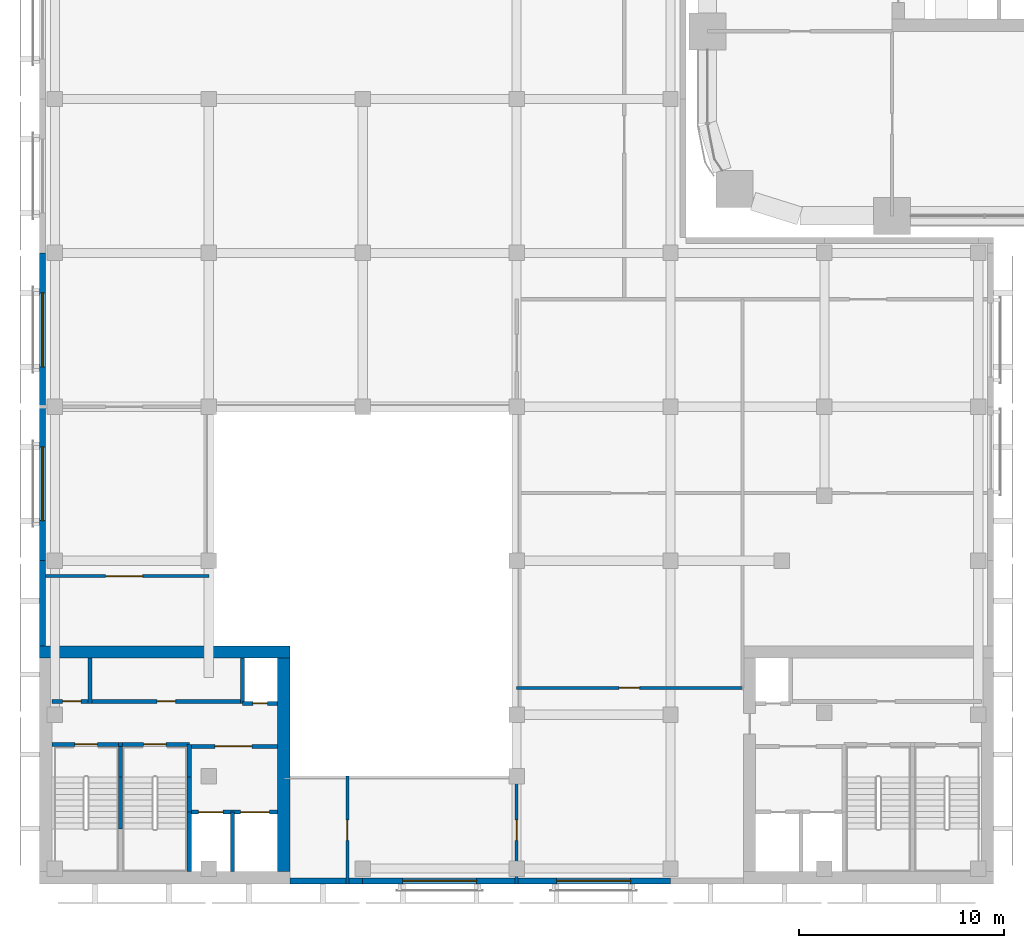
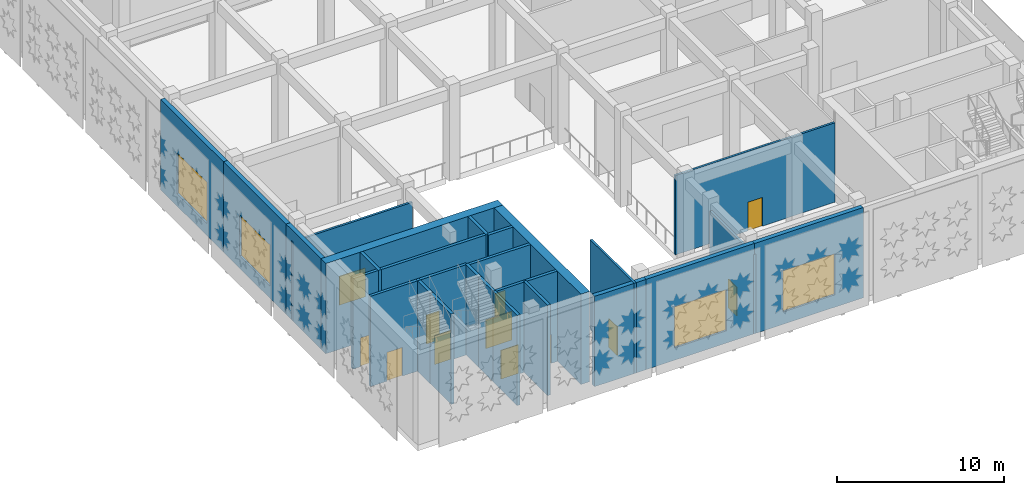
# One storey, part 14 of 42: 27 walls, 12 doors, 4 windows, 16 openings.
"""IFC4 building model written with IfcOpenShell, lengths in metres."""

from ifc_helpers import new_model, si_unit, direction, frame, frame_2d, origin, place, context, subcontext, project, spatial, rectangle, extrude, material, layer, layer_set, type_object, element, fill, save


model = new_model("IFC4")

# Units and contexts
model_context = context("Model", 3, precision=1e-05, world=origin(), true_north=direction((0.0, 1.0)))
body_context = subcontext(model_context, "Body", "Model", "MODEL_VIEW")
ifc_project = project(units=[si_unit("LENGTHUNIT", "METRE"), si_unit("AREAUNIT", "SQUARE_METRE"), si_unit("VOLUMEUNIT", "CUBIC_METRE"), si_unit("PLANEANGLEUNIT", "RADIAN"), si_unit("MASSUNIT", "GRAM", prefix="KILO")], contexts=[model_context])

# Site, building, storey
site_placement = place(None, origin())
site = spatial("IfcSite", under=ifc_project, at=site_placement, CompositionType="ELEMENT")
building_placement = place(site_placement, origin())
building = spatial("IfcBuilding", under=site, at=building_placement, Name="Tessera Arch", CompositionType="ELEMENT")
storey_placement = place(building_placement, frame((0.0, 0.0, 14.0)))
storey = spatial("IfcBuildingStorey", under=building, at=storey_placement, Name="L02", CompositionType="ELEMENT", Elevation=14.0)

# Wall
ifc_material_1 = material(Name="Gypsum board on steel stud", Category="steel")
ifc_layer_1 = layer(ifc_material_1, 0.125)
ifc_layer_set_1 = layer_set([ifc_layer_1], Name="Core partition 125 EI 60")
wall_type_1 = type_object("IfcWallType", Name="Core partition 125 EI 60", PredefinedType="PARTITIONING", material=ifc_layer_set_1)
wall_1_placement = place(storey_placement, frame((-30.090087890625, -23.75, 0.0), z_axis=(0.0, 0.0, 1.0), x_axis=(0.0, 1.0, 0.0)))
element("IfcWall", 1, at=wall_1_placement, inside=storey, type_object=wall_type_1, Name="L02 M2 partition wall 1", PredefinedType="PARTITIONING", context=body_context, shape_type="SweptSolid", body=[
    extrude(rectangle(XDim=2.199951171875, YDim=0.199951171875, at=frame_2d((1.10009765625, 0.0))), origin(), (0.0, 0.0, 1.0), 6.590087890625),
])

# Wall, opening, door
wall_2_placement = place(storey_placement, frame((-25.25, -25.85009765625, 0.0), z_axis=(0.0, 0.0, 1.0), x_axis=(1.0, 0.0, 0.0)))
wall_2 = element("IfcWall", 2, at=wall_2_placement, inside=storey, type_object=wall_type_1, Name="L02 M2 partition wall 11", PredefinedType="PARTITIONING", context=body_context, shape_type="SweptSolid", body=[
    extrude(rectangle(XDim=4.300048828125, YDim=0.199951171875, at=frame_2d((2.14990234375, 0.0))), origin(), (0.0, 0.0, 1.0), 6.590087890625),
])
opening_1_placement = place(wall_2_placement, frame((1.25, 0.0, 0.0)))
opening_1 = element("IfcOpeningElement", 3, at=opening_1_placement, cuts=wall_2, Name="Opening L02-C57", PredefinedType="OPENING", context=body_context, shape_type="SweptSolid", body=[
    extrude(rectangle(XDim=1.800048828125, YDim=2.10009765625, at=frame_2d((0.89990234375, 1.050048828125))), frame((0.0, 0.10986328125, 0.0), z_axis=(0.0, -1.0, 0.0), x_axis=(1.0, 0.0, 0.0)), (0.0, 0.0, 1.0), 0.219970703125),
])
ifc_material_2 = material(Name="Glazed steel door leaf", Category="steel")
door_type_1 = type_object("IfcDoorType", Name="Lobby double door FD30S 1800 x 2100", OperationType="DOUBLE_DOOR_SINGLE_SWING", PredefinedType="DOOR", material=ifc_material_2)
door_1_placement = place(opening_1_placement, origin())
door_1 = element("IfcDoor", 4, at=door_1_placement, inside=storey, type_object=door_type_1, Name="L02 M2 door 5 C57 type D06", OperationType="DOUBLE_DOOR_SINGLE_SWING", OverallHeight=2.10009765625, OverallWidth=1.800048828125, PredefinedType="DOOR", context=body_context, shape_type="SweptSolid", body=[
    extrude(rectangle(XDim=1.800048828125, YDim=2.10009765625, at=frame_2d((0.89990234375, 1.050048828125))), frame((0.0, 0.02490234375, 0.0), z_axis=(0.0, -1.0, 0.0), x_axis=(1.0, 0.0, 0.0)), (0.0, 0.0, 1.0), 0.050048828125),
])
fill(opening_1, door_1)

# Wall, openings, doors
wall_3_placement = place(storey_placement, frame((-31.949951171875, -23.64990234375, 0.0), z_axis=(0.0, 0.0, 1.0), x_axis=(1.0, 0.0, 0.0)))
wall_3 = element("IfcWall", 5, at=wall_3_placement, inside=storey, type_object=wall_type_1, Name="L02 M2 partition wall 15", PredefinedType="PARTITIONING", context=body_context, shape_type="SweptSolid", body=[
    extrude(rectangle(XDim=9.300048828125, YDim=0.199951171875, at=frame_2d((4.64990234375, 0.0))), origin(), (0.0, 0.0, 1.0), 6.590087890625),
])
opening_2_placement = place(wall_3_placement, frame((0.530029296875, 0.0, 0.0)))
opening_2 = element("IfcOpeningElement", 6, at=opening_2_placement, cuts=wall_3, Name="Opening L02-C59", PredefinedType="OPENING", context=body_context, shape_type="SweptSolid", body=[
    extrude(rectangle(XDim=0.89990234375, YDim=2.10009765625, at=frame_2d((0.449951171875, 1.050048828125))), frame((0.0, 0.10986328125, 0.0), z_axis=(0.0, -1.0, 0.0), x_axis=(1.0, 0.0, 0.0)), (0.0, 0.0, 1.0), 0.219970703125),
])
opening_3_placement = place(wall_3_placement, frame((5.1298828125, 0.0, 0.0)))
opening_3 = element("IfcOpeningElement", 7, at=opening_3_placement, cuts=wall_3, Name="Opening L02-C60", PredefinedType="OPENING", context=body_context, shape_type="SweptSolid", body=[
    extrude(rectangle(XDim=0.89990234375, YDim=2.10009765625, at=frame_2d((0.449951171875, 1.050048828125))), frame((0.0, 0.10986328125, 0.0), z_axis=(0.0, -1.0, 0.0), x_axis=(1.0, 0.0, 0.0)), (0.0, 0.0, 1.0), 0.219970703125),
])
ifc_material_3 = material(Name="Steel door leaf", Category="steel")
door_type_2 = type_object("IfcDoorType", Name="Store door FD30S 900 x 2100", OperationType="SINGLE_SWING_LEFT", PredefinedType="DOOR", material=ifc_material_3)
door_2_placement = place(opening_2_placement, origin())
door_2 = element("IfcDoor", 8, at=door_2_placement, inside=storey, type_object=door_type_2, Name="L02 M2 door 7 C59 type D09", OperationType="SINGLE_SWING_LEFT", OverallHeight=2.10009765625, OverallWidth=0.89990234375, PredefinedType="DOOR", context=body_context, shape_type="SweptSolid", body=[
    extrude(rectangle(XDim=0.89990234375, YDim=2.10009765625, at=frame_2d((0.449951171875, 1.050048828125))), frame((0.0, 0.02490234375, 0.0), z_axis=(0.0, -1.0, 0.0), x_axis=(1.0, 0.0, 0.0)), (0.0, 0.0, 1.0), 0.050048828125),
])
fill(opening_2, door_2)
door_3_placement = place(opening_3_placement, origin())
door_3 = element("IfcDoor", 9, at=door_3_placement, inside=storey, type_object=door_type_2, Name="L02 M2 door 8 C60 type D09", OperationType="SINGLE_SWING_RIGHT", OverallHeight=2.10009765625, OverallWidth=0.89990234375, PredefinedType="DOOR", context=body_context, shape_type="SweptSolid", body=[
    extrude(rectangle(XDim=0.89990234375, YDim=2.10009765625, at=frame_2d((0.449951171875, 1.050048828125))), frame((0.0, 0.02490234375, 0.0), z_axis=(0.0, -1.0, 0.0), x_axis=(1.0, 0.0, 0.0)), (0.0, 0.0, 1.0), 0.050048828125),
])
fill(opening_3, door_3)

# Walls
ifc_material_4 = material(Name="Concrete C70/85", Category="concrete")
ifc_layer_2 = layer(ifc_material_4, 0.60009765625)
ifc_layer_set_2 = layer_set([ifc_layer_2], Name="Core shell wall 600 C70-85")
wall_type_2 = type_object("IfcWallType", Name="Core shell wall 600 C70-85", PredefinedType="SHEAR", material=ifc_layer_set_2)
wall_4_placement = place(storey_placement, frame((-32.550048828125, -21.25, 0.0), z_axis=(0.0, 0.0, 1.0), x_axis=(1.0, 0.0, 0.0)))
element("IfcWall", 10, at=wall_4_placement, inside=storey, type_object=wall_type_2, Name="L02 M2 core wall N", PredefinedType="SHEAR", context=body_context, shape_type="SweptSolid", body=[
    extrude(rectangle(XDim=12.199951171875, YDim=0.60009765625, at=frame_2d((6.10009765625, 0.0))), origin(), (0.0, 0.0, 1.0), 6.590087890625),
])
wall_5_placement = place(storey_placement, frame((-20.64990234375, -31.949951171875, 0.0), z_axis=(0.0, 0.0, 1.0), x_axis=(0.0, 1.0, 0.0)))
element("IfcWall", 11, at=wall_5_placement, inside=storey, type_object=wall_type_2, Name="L02 M2 core wall E", PredefinedType="SHEAR", context=body_context, shape_type="SweptSolid", body=[
    extrude(rectangle(XDim=10.39990234375, YDim=0.60009765625, at=frame_2d((5.199951171875, 0.0))), origin(), (0.0, 0.0, 1.0), 6.590087890625),
])
ifc_material_5 = material(Name="Aluminium cladding pale metal anodised", Category="aluminium")
ifc_layer_3 = layer(ifc_material_5, 0.300048828125)
ifc_layer_set_3 = layer_set([ifc_layer_3], Name="Museum envelope wall pale metal")
wall_type_3 = type_object("IfcWallType", Name="Museum envelope wall pale metal", PredefinedType="SOLIDWALL", material=ifc_layer_set_3)
wall_6_placement = place(storey_placement, frame((-20.35009765625, -32.39990234375, 0.0), z_axis=(0.0, 0.0, 1.0), x_axis=(1.0, 0.0, 0.0)))
element("IfcWall", 12, at=wall_6_placement, inside=storey, type_object=wall_type_3, Name="Museum external wall pale metal mashrabiya pattern", PredefinedType="SOLIDWALL", context=body_context, shape_type="SweptSolid", body=[
    extrude(rectangle(XDim=3.550048828125, YDim=0.300048828125, at=frame_2d((1.77490234375, 0.0))), origin(), (0.0, 0.0, 1.0), 6.590087890625),
])

# Wall, opening, window
wall_7_placement = place(storey_placement, frame((-16.800048828125, -32.39990234375, 0.0), z_axis=(0.0, 0.0, 1.0), x_axis=(1.0, 0.0, 0.0)))
wall_7 = element("IfcWall", 13, at=wall_7_placement, inside=storey, type_object=wall_type_3, Name="Museum external wall pale metal mashrabiya pattern", PredefinedType="SOLIDWALL", context=body_context, shape_type="SweptSolid", body=[
    extrude(rectangle(XDim=7.5, YDim=0.300048828125, at=frame_2d((3.75, 0.0))), origin(), (0.0, 0.0, 1.0), 6.590087890625),
])
opening_4_placement = place(wall_7_placement, frame((1.949951171875, 0.0, 0.89990234375)))
opening_4 = element("IfcOpeningElement", 14, at=opening_4_placement, cuts=wall_7, Name="Opening L02-MV26", PredefinedType="OPENING", context=body_context, shape_type="SweptSolid", body=[
    extrude(rectangle(XDim=3.60009765625, YDim=3.0, at=frame_2d((1.800048828125, 1.5))), frame((0.0, 0.159912109375, 0.0), z_axis=(0.0, -1.0, 0.0), x_axis=(1.0, 0.0, 0.0)), (0.0, 0.0, 1.0), 0.320068359375),
])
ifc_material_6 = material(Name="Clear low-e glass in aluminium frame", Category="aluminium")
window_type = type_object("IfcWindowType", Name="Museum window fixed clear glass", PartitioningType="SINGLE_PANEL", PredefinedType="WINDOW", material=ifc_material_6)
window_1_placement = place(opening_4_placement, origin())
window_1 = element("IfcWindow", 15, at=window_1_placement, inside=storey, type_object=window_type, Name="Museum window L02 1-4", OverallHeight=3.0, OverallWidth=3.60009765625, PartitioningType="SINGLE_PANEL", PredefinedType="WINDOW", context=body_context, shape_type="SweptSolid", body=[
    extrude(rectangle(XDim=3.60009765625, YDim=3.0, at=frame_2d((1.800048828125, 1.5))), frame((0.0, 0.030029296875, 0.0), z_axis=(0.0, -1.0, 0.0), x_axis=(1.0, 0.0, 0.0)), (0.0, 0.0, 1.0), 0.06005859375),
])
fill(opening_4, window_1)

wall_8_placement = place(storey_placement, frame((-9.300048828125, -32.39990234375, 0.0), z_axis=(0.0, 0.0, 1.0), x_axis=(1.0, 0.0, 0.0)))
wall_8 = element("IfcWall", 16, at=wall_8_placement, inside=storey, type_object=wall_type_3, Name="Museum external wall pale metal mashrabiya pattern", PredefinedType="SOLIDWALL", context=body_context, shape_type="SweptSolid", body=[
    extrude(rectangle(XDim=7.5, YDim=0.300048828125, at=frame_2d((3.75, 0.0))), origin(), (0.0, 0.0, 1.0), 6.590087890625),
])
opening_5_placement = place(wall_8_placement, frame((1.949951171875, 0.0, 0.89990234375)))
opening_5 = element("IfcOpeningElement", 17, at=opening_5_placement, cuts=wall_8, Name="Opening L02-MV27", PredefinedType="OPENING", context=body_context, shape_type="SweptSolid", body=[
    extrude(rectangle(XDim=3.60009765625, YDim=3.0, at=frame_2d((1.800048828125, 1.5))), frame((0.0, 0.159912109375, 0.0), z_axis=(0.0, -1.0, 0.0), x_axis=(1.0, 0.0, 0.0)), (0.0, 0.0, 1.0), 0.320068359375),
])
window_2_placement = place(opening_5_placement, origin())
window_2 = element("IfcWindow", 18, at=window_2_placement, inside=storey, type_object=window_type, Name="Museum window L02 1-5", OverallHeight=3.0, OverallWidth=3.60009765625, PartitioningType="SINGLE_PANEL", PredefinedType="WINDOW", context=body_context, shape_type="SweptSolid", body=[
    extrude(rectangle(XDim=3.60009765625, YDim=3.0, at=frame_2d((1.800048828125, 1.5))), frame((0.0, 0.030029296875, 0.0), z_axis=(0.0, -1.0, 0.0), x_axis=(1.0, 0.0, 0.0)), (0.0, 0.0, 1.0), 0.06005859375),
])
fill(opening_5, window_2)

wall_9_placement = place(storey_placement, frame((-32.39990234375, -1.800048828125, 0.0), z_axis=(0.0, 0.0, 1.0), x_axis=(0.0, -1.0, 0.0)))
wall_9 = element("IfcWall", 19, at=wall_9_placement, inside=storey, type_object=wall_type_3, Name="Museum external wall pale metal mashrabiya pattern", PredefinedType="SOLIDWALL", context=body_context, shape_type="SweptSolid", body=[
    extrude(rectangle(XDim=7.5, YDim=0.300048828125, at=frame_2d((3.75, 0.0))), origin(), (0.0, 0.0, 1.0), 6.590087890625),
])
opening_6_placement = place(wall_9_placement, frame((1.949951171875, 0.0, 0.89990234375)))
opening_6 = element("IfcOpeningElement", 20, at=opening_6_placement, cuts=wall_9, Name="Opening L02-MV38", PredefinedType="OPENING", context=body_context, shape_type="SweptSolid", body=[
    extrude(rectangle(XDim=3.60009765625, YDim=3.0, at=frame_2d((1.800048828125, 1.5))), frame((0.0, 0.159912109375, 0.0), z_axis=(0.0, -1.0, 0.0), x_axis=(1.0, 0.0, 0.0)), (0.0, 0.0, 1.0), 0.320068359375),
])
window_3_placement = place(opening_6_placement, origin())
window_3 = element("IfcWindow", 21, at=window_3_placement, inside=storey, type_object=window_type, Name="Museum window L02 6-10", OverallHeight=3.0, OverallWidth=3.60009765625, PartitioningType="SINGLE_PANEL", PredefinedType="WINDOW", context=body_context, shape_type="SweptSolid", body=[
    extrude(rectangle(XDim=3.60009765625, YDim=3.0, at=frame_2d((1.800048828125, 1.5))), frame((0.0, 0.030029296875, 0.0), z_axis=(0.0, -1.0, 0.0), x_axis=(1.0, 0.0, 0.0)), (0.0, 0.0, 1.0), 0.06005859375),
])
fill(opening_6, window_3)

wall_10_placement = place(storey_placement, frame((-32.39990234375, -9.300048828125, 0.0), z_axis=(0.0, 0.0, 1.0), x_axis=(0.0, -1.0, 0.0)))
wall_10 = element("IfcWall", 22, at=wall_10_placement, inside=storey, type_object=wall_type_3, Name="Museum external wall pale metal mashrabiya pattern", PredefinedType="SOLIDWALL", context=body_context, shape_type="SweptSolid", body=[
    extrude(rectangle(XDim=7.5, YDim=0.300048828125, at=frame_2d((3.75, 0.0))), origin(), (0.0, 0.0, 1.0), 6.590087890625),
])
opening_7_placement = place(wall_10_placement, frame((1.949951171875, 0.0, 0.89990234375)))
opening_7 = element("IfcOpeningElement", 23, at=opening_7_placement, cuts=wall_10, Name="Opening L02-MV39", PredefinedType="OPENING", context=body_context, shape_type="SweptSolid", body=[
    extrude(rectangle(XDim=3.60009765625, YDim=3.0, at=frame_2d((1.800048828125, 1.5))), frame((0.0, 0.159912109375, 0.0), z_axis=(0.0, -1.0, 0.0), x_axis=(1.0, 0.0, 0.0)), (0.0, 0.0, 1.0), 0.320068359375),
])
window_4_placement = place(opening_7_placement, origin())
window_4 = element("IfcWindow", 24, at=window_4_placement, inside=storey, type_object=window_type, Name="Museum window L02 6-11", OverallHeight=3.0, OverallWidth=3.60009765625, PartitioningType="SINGLE_PANEL", PredefinedType="WINDOW", context=body_context, shape_type="SweptSolid", body=[
    extrude(rectangle(XDim=3.60009765625, YDim=3.0, at=frame_2d((1.800048828125, 1.5))), frame((0.0, 0.030029296875, 0.0), z_axis=(0.0, -1.0, 0.0), x_axis=(1.0, 0.0, 0.0)), (0.0, 0.0, 1.0), 0.06005859375),
])
fill(opening_7, window_4)

# Wall
wall_11_placement = place(storey_placement, frame((-32.39990234375, -16.800048828125, 0.0), z_axis=(0.0, 0.0, 1.0), x_axis=(0.0, -1.0, 0.0)))
element("IfcWall", 25, at=wall_11_placement, inside=storey, type_object=wall_type_3, Name="Museum external wall pale metal mashrabiya pattern", PredefinedType="SOLIDWALL", context=body_context, shape_type="SweptSolid", body=[
    extrude(rectangle(XDim=4.14990234375, YDim=0.300048828125, at=frame_2d((2.074951171875, 0.0))), origin(), (0.0, 0.0, 1.0), 6.590087890625),
])

# Wall, opening, door
ifc_material_7 = material(Name="Gypsum board on steel stud", Category="steel")
ifc_layer_4 = layer(ifc_material_7, 0.14990234375)
ifc_layer_set_4 = layer_set([ifc_layer_4], Name="Partition 150")
wall_type_4 = type_object("IfcWallType", Name="Partition 150", PredefinedType="PARTITIONING", material=ifc_layer_set_4)
wall_12_placement = place(storey_placement, frame((-32.550048828125, -17.550048828125, 0.0), z_axis=(0.0, 0.0, 1.0), x_axis=(1.0, 0.0, 0.0)))
wall_12 = element("IfcWall", 26, at=wall_12_placement, inside=storey, type_object=wall_type_4, Name="L02 partition 17", PredefinedType="PARTITIONING", context=body_context, shape_type="SweptSolid", body=[
    extrude(rectangle(XDim=8.25, YDim=0.14990234375, at=frame_2d((4.125, 0.0))), origin(), (0.0, 0.0, 1.0), 5.7900390625),
])
opening_8_placement = place(wall_12_placement, frame((3.22509765625, 0.0, 0.0)))
opening_8 = element("IfcOpeningElement", 27, at=opening_8_placement, cuts=wall_12, Name="Opening L02-D012", PredefinedType="OPENING", context=body_context, shape_type="SweptSolid", body=[
    extrude(rectangle(XDim=1.800048828125, YDim=2.10009765625, at=frame_2d((0.89990234375, 1.050048828125))), frame((0.0, 0.0849609375, 0.0), z_axis=(0.0, -1.0, 0.0), x_axis=(1.0, 0.0, 0.0)), (0.0, 0.0, 1.0), 0.169921875),
])
ifc_material_8 = material(Name="Timber door leaf", Category="wood")
door_type_3 = type_object("IfcDoorType", Name="Double door 1800 x 2100", OperationType="DOUBLE_DOOR_SINGLE_SWING", PredefinedType="DOOR", material=ifc_material_8)
door_4_placement = place(opening_8_placement, origin())
door_4 = element("IfcDoor", 28, at=door_4_placement, inside=storey, type_object=door_type_3, Name="L02 door D012 type D13", OperationType="DOUBLE_DOOR_SINGLE_SWING", OverallHeight=2.10009765625, OverallWidth=1.800048828125, PredefinedType="DOOR", context=body_context, shape_type="SweptSolid", body=[
    extrude(rectangle(XDim=1.800048828125, YDim=2.10009765625, at=frame_2d((0.89990234375, 1.050048828125))), frame((0.0, 0.02490234375, 0.0), z_axis=(0.0, -1.0, 0.0), x_axis=(1.0, 0.0, 0.0)), (0.0, 0.0, 1.0), 0.050048828125),
])
fill(opening_8, door_4)

ifc_material_9 = material(Name="Gypsum board on steel stud", Category="steel")
ifc_layer_5 = layer(ifc_material_9, 0.14990234375)
ifc_layer_set_5 = layer_set([ifc_layer_5], Name="Partition 150 EI 30")
wall_type_5 = type_object("IfcWallType", Name="Partition 150 EI 30", PredefinedType="PARTITIONING", material=ifc_layer_set_5)
wall_13_placement = place(storey_placement, frame((-9.300048828125, -23.0, 0.0), z_axis=(0.0, 0.0, 1.0), x_axis=(1.0, 0.0, 0.0)))
wall_13 = element("IfcWall", 29, at=wall_13_placement, inside=storey, type_object=wall_type_5, Name="L02 partition 24", PredefinedType="PARTITIONING", context=body_context, shape_type="SweptSolid", body=[
    extrude(rectangle(XDim=11.0, YDim=0.14990234375, at=frame_2d((5.5, 0.0))), origin(), (0.0, 0.0, 1.0), 5.7900390625),
])
opening_9_placement = place(wall_13_placement, frame((5.0, 0.0, 0.0)))
opening_9 = element("IfcOpeningElement", 30, at=opening_9_placement, cuts=wall_13, Name="Opening L02-D019", PredefinedType="OPENING", context=body_context, shape_type="SweptSolid", body=[
    extrude(rectangle(XDim=1.0, YDim=2.10009765625, at=frame_2d((0.5, 1.050048828125))), frame((0.0, 0.0849609375, 0.0), z_axis=(0.0, -1.0, 0.0), x_axis=(1.0, 0.0, 0.0)), (0.0, 0.0, 1.0), 0.169921875),
])
ifc_material_10 = material(Name="Fire-rated door leaf")
door_type_4 = type_object("IfcDoorType", Name="Entrance door FD30S 1000 x 2100", OperationType="SINGLE_SWING_LEFT", PredefinedType="DOOR", material=ifc_material_10)
door_5_placement = place(opening_9_placement, origin())
door_5 = element("IfcDoor", 31, at=door_5_placement, inside=storey, type_object=door_type_4, Name="L02 door D019 type D03", OperationType="SINGLE_SWING_LEFT", OverallHeight=2.10009765625, OverallWidth=1.0, PredefinedType="DOOR", context=body_context, shape_type="SweptSolid", body=[
    extrude(rectangle(XDim=1.0, YDim=2.10009765625, at=frame_2d((0.5, 1.050048828125))), frame((0.0, 0.02490234375, 0.0), z_axis=(0.0, -1.0, 0.0), x_axis=(1.0, 0.0, 0.0)), (0.0, 0.0, 1.0), 0.050048828125),
])
fill(opening_9, door_5)

wall_14_placement = place(storey_placement, frame((-17.550048828125, -32.550048828125, 0.0), z_axis=(0.0, 0.0, 1.0), x_axis=(0.0, 1.0, 0.0)))
wall_14 = element("IfcWall", 32, at=wall_14_placement, inside=storey, type_object=wall_type_5, Name="L02 partition 26", PredefinedType="PARTITIONING", context=body_context, shape_type="SweptSolid", body=[
    extrude(rectangle(XDim=5.25, YDim=0.14990234375, at=frame_2d((2.625, 0.0))), origin(), (0.0, 0.0, 1.0), 6.590087890625),
])
opening_10_placement = place(wall_14_placement, frame((2.125, 0.0, 0.0)))
opening_10 = element("IfcOpeningElement", 33, at=opening_10_placement, cuts=wall_14, Name="Opening L02-D027", PredefinedType="OPENING", context=body_context, shape_type="SweptSolid", body=[
    extrude(rectangle(XDim=1.0, YDim=2.10009765625, at=frame_2d((0.5, 1.050048828125))), frame((0.0, 0.0849609375, 0.0), z_axis=(0.0, -1.0, 0.0), x_axis=(1.0, 0.0, 0.0)), (0.0, 0.0, 1.0), 0.169921875),
])
door_6_placement = place(opening_10_placement, origin())
door_6 = element("IfcDoor", 34, at=door_6_placement, inside=storey, type_object=door_type_4, Name="L02 door D027 type D03", OperationType="SINGLE_SWING_RIGHT", OverallHeight=2.10009765625, OverallWidth=1.0, PredefinedType="DOOR", context=body_context, shape_type="SweptSolid", body=[
    extrude(rectangle(XDim=1.0, YDim=2.10009765625, at=frame_2d((0.5, 1.050048828125))), frame((0.0, 0.02490234375, 0.0), z_axis=(0.0, -1.0, 0.0), x_axis=(1.0, 0.0, 0.0)), (0.0, 0.0, 1.0), 0.050048828125),
])
fill(opening_10, door_6)

wall_15_placement = place(storey_placement, frame((-9.300048828125, -32.550048828125, 0.0), z_axis=(0.0, 0.0, 1.0), x_axis=(0.0, 1.0, 0.0)))
wall_15 = element("IfcWall", 35, at=wall_15_placement, inside=storey, type_object=wall_type_5, Name="L02 partition 27", PredefinedType="PARTITIONING", context=body_context, shape_type="SweptSolid", body=[
    extrude(rectangle(XDim=5.25, YDim=0.14990234375, at=frame_2d((2.625, 0.0))), origin(), (0.0, 0.0, 1.0), 5.7900390625),
])
opening_11_placement = place(wall_15_placement, frame((2.125, 0.0, 0.0)))
opening_11 = element("IfcOpeningElement", 36, at=opening_11_placement, cuts=wall_15, Name="Opening L02-D022", PredefinedType="OPENING", context=body_context, shape_type="SweptSolid", body=[
    extrude(rectangle(XDim=1.0, YDim=2.10009765625, at=frame_2d((0.5, 1.050048828125))), frame((0.0, 0.0849609375, 0.0), z_axis=(0.0, -1.0, 0.0), x_axis=(1.0, 0.0, 0.0)), (0.0, 0.0, 1.0), 0.169921875),
])
door_7_placement = place(opening_11_placement, origin())
door_7 = element("IfcDoor", 37, at=door_7_placement, inside=storey, type_object=door_type_4, Name="L02 door D022 type D03", OperationType="SINGLE_SWING_RIGHT", OverallHeight=2.10009765625, OverallWidth=1.0, PredefinedType="DOOR", context=body_context, shape_type="SweptSolid", body=[
    extrude(rectangle(XDim=1.0, YDim=2.10009765625, at=frame_2d((0.5, 1.050048828125))), frame((0.0, 0.02490234375, 0.0), z_axis=(0.0, -1.0, 0.0), x_axis=(1.0, 0.0, 0.0)), (0.0, 0.0, 1.0), 0.050048828125),
])
fill(opening_11, door_7)

# Walls
ifc_material_11 = material(Name="Concrete C40/50", Category="concrete")
ifc_layer_6 = layer(ifc_material_11, 0.199951171875)
ifc_layer_set_6 = layer_set([ifc_layer_6], Name="Shaft wall 200 EI 120")
wall_type_6 = type_object("IfcWallType", Name="Shaft wall 200 EI 120", PredefinedType="SOLIDWALL", material=ifc_layer_set_6)
for number, where, z_axis, x_axis, name in (
    (38, (-25.25, -31.949951171875, 0.0), (0.0, 0.0, 1.0), (0.0, 1.0, 0.0), "L02 M2 shaft wall 5"),
    (39, (-23.14990234375, -31.949951171875, 0.0), (0.0, 0.0, 1.0), (0.0, 1.0, 0.0), "L02 M2 shaft wall 8"),
):
    element("IfcWall", number, at=place(storey_placement, frame(where, z_axis=z_axis, x_axis=x_axis)), inside=storey, type_object=wall_type_6, Name=name, PredefinedType="SOLIDWALL", context=body_context, shape_type="SweptSolid", body=[
        extrude(rectangle(XDim=2.89990234375, YDim=0.199951171875, at=frame_2d((1.449951171875, 0.0))), origin(), (0.0, 0.0, 1.0), 6.590087890625),
    ])
wall_16_placement = place(storey_placement, frame((-22.64990234375, -23.75, 0.0), z_axis=(0.0, 0.0, 1.0), x_axis=(0.0, 1.0, 0.0)))
element("IfcWall", 40, at=wall_16_placement, inside=storey, type_object=wall_type_6, Name="L02 M2 shaft wall 9", PredefinedType="SOLIDWALL", context=body_context, shape_type="SweptSolid", body=[
    extrude(rectangle(XDim=2.199951171875, YDim=0.199951171875, at=frame_2d((1.10009765625, 0.0))), origin(), (0.0, 0.0, 1.0), 6.590087890625),
])

# Wall, openings, doors
wall_17_placement = place(storey_placement, frame((-25.25, -29.050048828125, 0.0), z_axis=(0.0, 0.0, 1.0), x_axis=(1.0, 0.0, 0.0)))
wall_17 = element("IfcWall", 41, at=wall_17_placement, inside=storey, type_object=wall_type_6, Name="L02 M2 shaft wall 10", PredefinedType="SOLIDWALL", context=body_context, shape_type="SweptSolid", body=[
    extrude(rectangle(XDim=4.300048828125, YDim=0.199951171875, at=frame_2d((2.14990234375, 0.0))), origin(), (0.0, 0.0, 1.0), 6.590087890625),
])
opening_12_placement = place(wall_17_placement, frame((0.449951171875, 0.0, 0.0)))
opening_12 = element("IfcOpeningElement", 42, at=opening_12_placement, cuts=wall_17, Name="Opening L02-C53", PredefinedType="OPENING", context=body_context, shape_type="SweptSolid", body=[
    extrude(rectangle(XDim=1.199951171875, YDim=2.10009765625, at=frame_2d((0.60009765625, 1.050048828125))), frame((0.0, 0.10986328125, 0.0), z_axis=(0.0, -1.0, 0.0), x_axis=(1.0, 0.0, 0.0)), (0.0, 0.0, 1.0), 0.219970703125),
])
opening_13_placement = place(wall_17_placement, frame((2.5, 0.0, 0.0)))
opening_13 = element("IfcOpeningElement", 43, at=opening_13_placement, cuts=wall_17, Name="Opening L02-C54", PredefinedType="OPENING", context=body_context, shape_type="SweptSolid", body=[
    extrude(rectangle(XDim=1.39990234375, YDim=2.10009765625, at=frame_2d((0.699951171875, 1.050048828125))), frame((0.0, 0.10986328125, 0.0), z_axis=(0.0, -1.0, 0.0), x_axis=(1.0, 0.0, 0.0)), (0.0, 0.0, 1.0), 0.219970703125),
])
ifc_material_12 = material(Name="Stainless steel AISI 304", Category="steel")
door_type_5 = type_object("IfcDoorType", Name="Sliding landing door 1200 x 2100", OperationType="SLIDING_TO_LEFT", PredefinedType="DOOR", material=ifc_material_12)
door_8_placement = place(opening_12_placement, origin())
door_8 = element("IfcDoor", 44, at=door_8_placement, inside=storey, type_object=door_type_5, Name="L02 ML2 lift landing door C53 type LD", OperationType="SLIDING_TO_LEFT", OverallHeight=2.10009765625, OverallWidth=1.199951171875, PredefinedType="DOOR", context=body_context, shape_type="SweptSolid", body=[
    extrude(rectangle(XDim=1.199951171875, YDim=2.10009765625, at=frame_2d((0.60009765625, 1.050048828125))), frame((0.0, 0.02490234375, 0.0), z_axis=(0.0, -1.0, 0.0), x_axis=(1.0, 0.0, 0.0)), (0.0, 0.0, 1.0), 0.050048828125),
])
fill(opening_12, door_8)
ifc_material_13 = material(Name="Stainless steel AISI 304", Category="steel")
door_type_6 = type_object("IfcDoorType", Name="Sliding landing door 1400 x 2100", OperationType="SLIDING_TO_LEFT", PredefinedType="DOOR", material=ifc_material_13)
door_9_placement = place(opening_13_placement, origin())
door_9 = element("IfcDoor", 45, at=door_9_placement, inside=storey, type_object=door_type_6, Name="L02 ML3 lift landing door C54 type LDW", OperationType="SLIDING_TO_LEFT", OverallHeight=2.10009765625, OverallWidth=1.39990234375, PredefinedType="DOOR", context=body_context, shape_type="SweptSolid", body=[
    extrude(rectangle(XDim=1.39990234375, YDim=2.10009765625, at=frame_2d((0.699951171875, 1.050048828125))), frame((0.0, 0.02490234375, 0.0), z_axis=(0.0, -1.0, 0.0), x_axis=(1.0, 0.0, 0.0)), (0.0, 0.0, 1.0), 0.050048828125),
])
fill(opening_13, door_9)

# Wall, opening, door
wall_18_placement = place(storey_placement, frame((-22.64990234375, -23.75, 0.0), z_axis=(0.0, 0.0, 1.0), x_axis=(1.0, 0.0, 0.0)))
wall_18 = element("IfcWall", 46, at=wall_18_placement, inside=storey, type_object=wall_type_6, Name="L02 M2 shaft wall 16", PredefinedType="SOLIDWALL", context=body_context, shape_type="SweptSolid", body=[
    extrude(rectangle(XDim=1.699951171875, YDim=0.199951171875, at=frame_2d((0.85009765625, 0.0))), origin(), (0.0, 0.0, 1.0), 6.590087890625),
])
opening_14_placement = place(wall_18_placement, frame((0.5, 0.0, 0.0)))
opening_14 = element("IfcOpeningElement", 47, at=opening_14_placement, cuts=wall_18, Name="Opening L02-C58", PredefinedType="OPENING", context=body_context, shape_type="SweptSolid", body=[
    extrude(rectangle(XDim=0.699951171875, YDim=2.10009765625, at=frame_2d((0.35009765625, 1.050048828125))), frame((0.0, 0.10986328125, 0.0), z_axis=(0.0, -1.0, 0.0), x_axis=(1.0, 0.0, 0.0)), (0.0, 0.0, 1.0), 0.219970703125),
])
ifc_material_14 = material(Name="Steel door leaf", Category="steel")
door_type_7 = type_object("IfcDoorType", Name="Service shaft door FD60 700 x 2100", OperationType="SINGLE_SWING_LEFT", PredefinedType="DOOR", material=ifc_material_14)
door_10_placement = place(opening_14_placement, origin())
door_10 = element("IfcDoor", 48, at=door_10_placement, inside=storey, type_object=door_type_7, Name="L02 M2 door 6 C58 type D07", OperationType="SINGLE_SWING_RIGHT", OverallHeight=2.10009765625, OverallWidth=0.699951171875, PredefinedType="DOOR", context=body_context, shape_type="SweptSolid", body=[
    extrude(rectangle(XDim=0.699951171875, YDim=2.10009765625, at=frame_2d((0.35009765625, 1.050048828125))), frame((0.0, 0.02490234375, 0.0), z_axis=(0.0, -1.0, 0.0), x_axis=(1.0, 0.0, 0.0)), (0.0, 0.0, 1.0), 0.050048828125),
])
fill(opening_14, door_10)

# Walls
ifc_material_15 = material(Name="Concrete C40/50", Category="concrete")
ifc_layer_7 = layer(ifc_material_15, 0.199951171875)
ifc_layer_set_7 = layer_set([ifc_layer_7], Name="Stair well wall 200 REI 180")
wall_type_7 = type_object("IfcWallType", Name="Stair well wall 200 REI 180", PredefinedType="SOLIDWALL", material=ifc_layer_set_7)
wall_19_placement = place(storey_placement, frame((-28.60009765625, -29.8701171875, 0.0), z_axis=(0.0, 0.0, 1.0), x_axis=(0.0, 1.0, 0.0)))
element("IfcWall", 49, at=wall_19_placement, inside=storey, type_object=wall_type_7, Name="L02 M2 shaft wall 3", PredefinedType="SOLIDWALL", context=body_context, shape_type="SweptSolid", body=[
    extrude(rectangle(XDim=2.52001953125, YDim=0.199951171875, at=frame_2d((1.260009765625, 0.0))), origin(), (0.0, 0.0, 1.0), 6.590087890625),
])
wall_20_placement = place(storey_placement, frame((-28.60009765625, -27.35009765625, 0.0), z_axis=(0.0, 0.0, 1.0), x_axis=(0.0, 1.0, 0.0)))
element("IfcWall", 50, at=wall_20_placement, inside=storey, type_object=wall_type_7, Name="L02 M2 shaft wall 4", PredefinedType="SOLIDWALL", context=body_context, shape_type="SweptSolid", body=[
    extrude(rectangle(XDim=1.60009765625, YDim=0.199951171875, at=frame_2d((0.800048828125, 0.0))), origin(), (0.0, 0.0, 1.0), 6.590087890625),
])
wall_21_placement = place(storey_placement, frame((-25.25, -29.050048828125, 0.0), z_axis=(0.0, 0.0, 1.0), x_axis=(0.0, 1.0, 0.0)))
element("IfcWall", 51, at=wall_21_placement, inside=storey, type_object=wall_type_7, Name="L02 M2 shaft wall 6", PredefinedType="SOLIDWALL", context=body_context, shape_type="SweptSolid", body=[
    extrude(rectangle(XDim=1.699951171875, YDim=0.199951171875, at=frame_2d((0.85009765625, 0.0))), origin(), (0.0, 0.0, 1.0), 6.590087890625),
])
wall_22_placement = place(storey_placement, frame((-25.25, -27.35009765625, 0.0), z_axis=(0.0, 0.0, 1.0), x_axis=(0.0, 1.0, 0.0)))
element("IfcWall", 52, at=wall_22_placement, inside=storey, type_object=wall_type_7, Name="L02 M2 shaft wall 7", PredefinedType="SOLIDWALL", context=body_context, shape_type="SweptSolid", body=[
    extrude(rectangle(XDim=1.60009765625, YDim=0.199951171875, at=frame_2d((0.800048828125, 0.0))), origin(), (0.0, 0.0, 1.0), 6.590087890625),
])

# Wall, opening, door
wall_23_placement = place(storey_placement, frame((-31.949951171875, -25.75, 0.0), z_axis=(0.0, 0.0, 1.0), x_axis=(1.0, 0.0, 0.0)))
wall_23 = element("IfcWall", 53, at=wall_23_placement, inside=storey, type_object=wall_type_7, Name="L02 M2 shaft wall 12", PredefinedType="SOLIDWALL", context=body_context, shape_type="SweptSolid", body=[
    extrude(rectangle(XDim=3.25, YDim=0.199951171875, at=frame_2d((1.625, 0.0))), origin(), (0.0, 0.0, 1.0), 6.590087890625),
])
opening_15_placement = place(wall_23_placement, frame((1.125, 0.0, 0.0)))
opening_15 = element("IfcOpeningElement", 54, at=opening_15_placement, cuts=wall_23, Name="Opening L02-C55", PredefinedType="OPENING", context=body_context, shape_type="SweptSolid", body=[
    extrude(rectangle(XDim=1.10009765625, YDim=2.10009765625, at=frame_2d((0.550048828125, 1.050048828125))), frame((0.0, 0.10986328125, 0.0), z_axis=(0.0, -1.0, 0.0), x_axis=(1.0, 0.0, 0.0)), (0.0, 0.0, 1.0), 0.219970703125),
])
ifc_material_16 = material(Name="Steel door leaf", Category="steel")
door_type_8 = type_object("IfcDoorType", Name="Stair door FD60 1100 x 2100", OperationType="SINGLE_SWING_LEFT", PredefinedType="DOOR", material=ifc_material_16)
door_11_placement = place(opening_15_placement, origin())
door_11 = element("IfcDoor", 55, at=door_11_placement, inside=storey, type_object=door_type_8, Name="L02 M2 door 3 C55 type D05", OperationType="SINGLE_SWING_RIGHT", OverallHeight=2.10009765625, OverallWidth=1.10009765625, PredefinedType="DOOR", context=body_context, shape_type="SweptSolid", body=[
    extrude(rectangle(XDim=1.10009765625, YDim=2.10009765625, at=frame_2d((0.550048828125, 1.050048828125))), frame((0.0, 0.02490234375, 0.0), z_axis=(0.0, -1.0, 0.0), x_axis=(1.0, 0.0, 0.0)), (0.0, 0.0, 1.0), 0.050048828125),
])
fill(opening_15, door_11)

# Wall
wall_24_placement = place(storey_placement, frame((-28.699951171875, -25.75, 0.0), z_axis=(0.0, 0.0, 1.0), x_axis=(1.0, 0.0, 0.0)))
element("IfcWall", 56, at=wall_24_placement, inside=storey, type_object=wall_type_7, Name="L02 M2 shaft wall 13", PredefinedType="SOLIDWALL", context=body_context, shape_type="SweptSolid", body=[
    extrude(rectangle(XDim=0.199951171875, YDim=0.199951171875, at=frame_2d((0.10009765625, 0.0))), origin(), (0.0, 0.0, 1.0), 6.590087890625),
])

# Wall, opening, door
wall_25_placement = place(storey_placement, frame((-28.5, -25.75, 0.0), z_axis=(0.0, 0.0, 1.0), x_axis=(1.0, 0.0, 0.0)))
wall_25 = element("IfcWall", 57, at=wall_25_placement, inside=storey, type_object=wall_type_7, Name="L02 M2 shaft wall 14", PredefinedType="SOLIDWALL", context=body_context, shape_type="SweptSolid", body=[
    extrude(rectangle(XDim=3.25, YDim=0.199951171875, at=frame_2d((1.625, 0.0))), origin(), (0.0, 0.0, 1.0), 6.590087890625),
])
opening_16_placement = place(wall_25_placement, frame((1.02490234375, 0.0, 0.0)))
opening_16 = element("IfcOpeningElement", 58, at=opening_16_placement, cuts=wall_25, Name="Opening L02-C56", PredefinedType="OPENING", context=body_context, shape_type="SweptSolid", body=[
    extrude(rectangle(XDim=1.10009765625, YDim=2.10009765625, at=frame_2d((0.550048828125, 1.050048828125))), frame((0.0, 0.10986328125, 0.0), z_axis=(0.0, -1.0, 0.0), x_axis=(1.0, 0.0, 0.0)), (0.0, 0.0, 1.0), 0.219970703125),
])
door_12_placement = place(opening_16_placement, origin())
door_12 = element("IfcDoor", 59, at=door_12_placement, inside=storey, type_object=door_type_8, Name="L02 M2 door 4 C56 type D05", OperationType="SINGLE_SWING_LEFT", OverallHeight=2.10009765625, OverallWidth=1.10009765625, PredefinedType="DOOR", context=body_context, shape_type="SweptSolid", body=[
    extrude(rectangle(XDim=1.10009765625, YDim=2.10009765625, at=frame_2d((0.550048828125, 1.050048828125))), frame((0.0, 0.02490234375, 0.0), z_axis=(0.0, -1.0, 0.0), x_axis=(1.0, 0.0, 0.0)), (0.0, 0.0, 1.0), 0.050048828125),
])
fill(opening_16, door_12)

save(model, "model.ifc")
